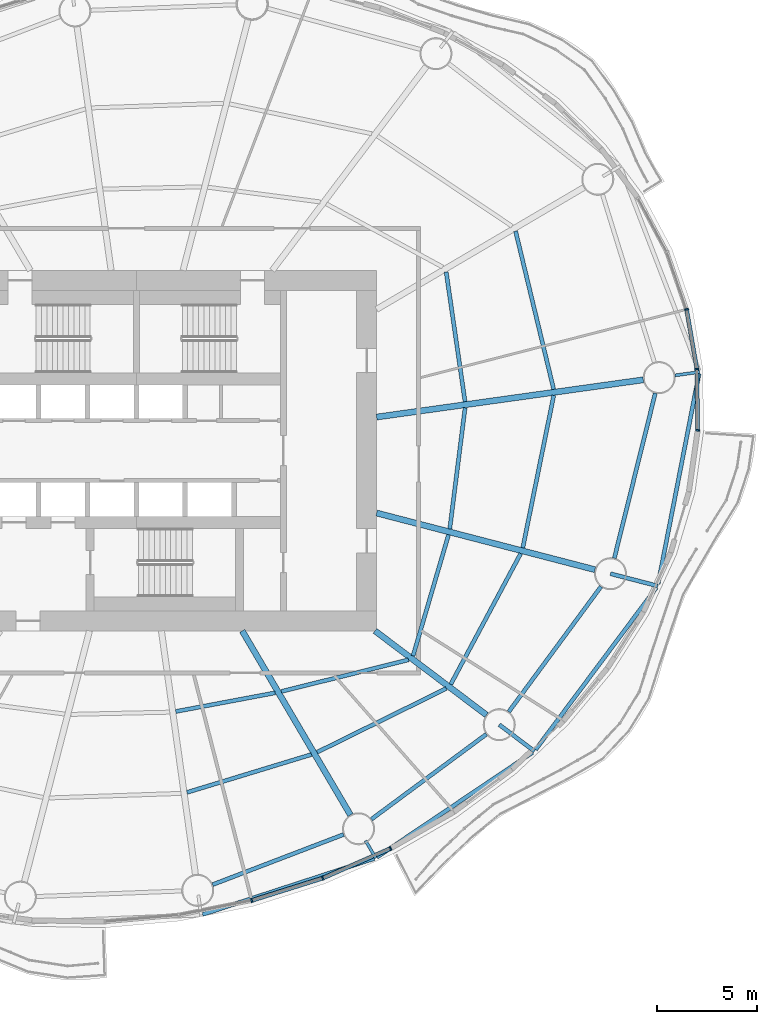
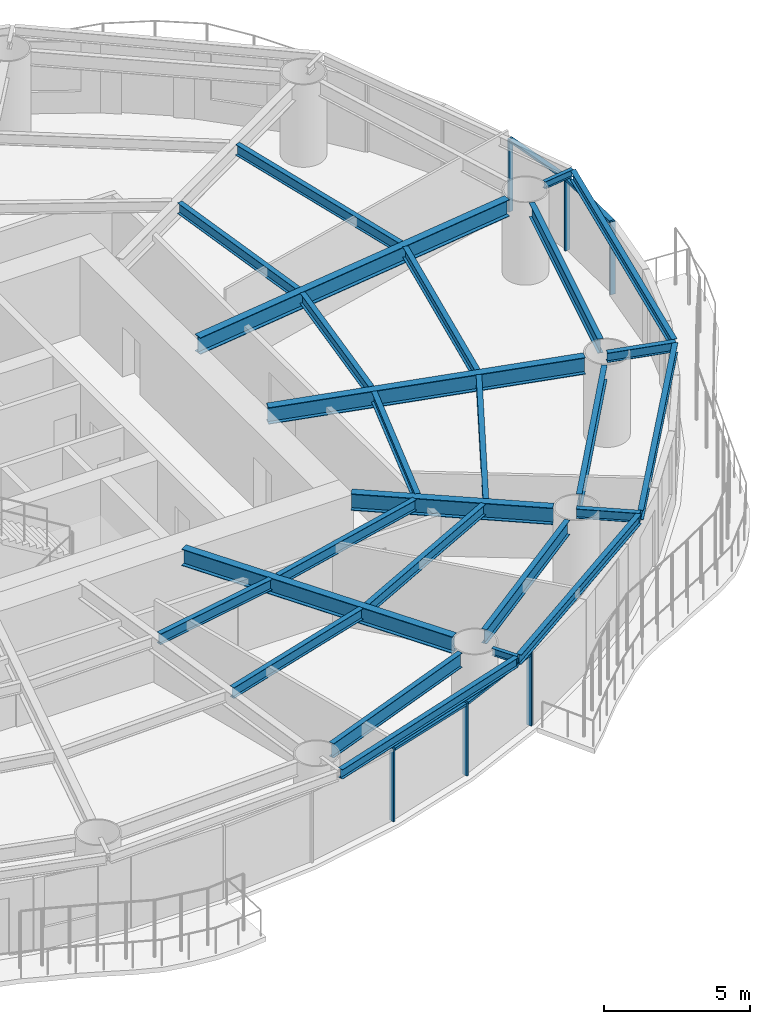
# One storey, part 4 of 17: 26 beams, 10 members, 5 elements without a shape of their own.
"""IFC4 building model written with IfcOpenShell, lengths in metres."""

from ifc_helpers import new_model, si_unit, direction, frame, origin, origin_2d, place, context, subcontext, project, spatial, rectangle, i_section, extrude, material, material_profile, profile_set, type_object, element, aggregate, save


model = new_model("IFC4")

# Units and contexts
model_context = context("Model", 3, precision=1e-05, world=origin(), true_north=direction((0.0, 1.0)))
body_context = subcontext(model_context, "Body", "Model", "MODEL_VIEW")
ifc_project = project(units=[si_unit("LENGTHUNIT", "METRE"), si_unit("AREAUNIT", "SQUARE_METRE"), si_unit("VOLUMEUNIT", "CUBIC_METRE"), si_unit("PLANEANGLEUNIT", "RADIAN"), si_unit("MASSUNIT", "GRAM", prefix="KILO")], contexts=[model_context])

# Site, building, storey
site_placement = place(None, origin())
site = spatial("IfcSite", under=ifc_project, at=site_placement, CompositionType="ELEMENT")
building_placement = place(site_placement, origin())
building = spatial("IfcBuilding", under=site, at=building_placement, Name="Vermilion Reach Broadcast Tower", CompositionType="ELEMENT")
storey_placement = place(building_placement, frame((0.0, 0.0, 92.199951171875)))
storey = spatial("IfcBuildingStorey", under=building, at=storey_placement, Name="L20", CompositionType="ELEMENT", Elevation=92.199951171875)

# Beams
ifc_material_1 = material(Name="Steel S355J2", Category="steel")
ifc_material_profile_1 = material_profile(ifc_material_1, i_section(OverallWidth=0.199951171875, OverallDepth=0.39990234375, WebThickness=0.008056640625, FlangeThickness=0.012939453125, at=origin_2d()), Name="S355J2 HN 400x200x8x13")
ifc_profile_set_1 = profile_set([ifc_material_profile_1], Name="Steel S355J2")
beam_type_1 = type_object("IfcBeamType", Name="EB2 HN 400x200x8x13", PredefinedType="BEAM", material=ifc_profile_set_1)
beam_1_placement = place(storey_placement, frame((-2.68994140625, -23.159912109375, 3.25), z_axis=(0.95075238566, 0.309951449684, 0.0), x_axis=(-0.309951449684, 0.95075238566, 0.0)))
element("IfcBeam", 1, at=beam_1_placement, inside=storey, type_object=beam_type_1, Name="Edge beam EB2-12", PredefinedType="BEAM", context=body_context, shape_type="SweptSolid", body=[
    extrude(i_section(OverallWidth=0.199951171875, OverallDepth=0.39990234375, WebThickness=0.008056640625, FlangeThickness=0.012939453125, at=origin_2d()), origin(), (0.0, 0.0, 1.0), 9.018798828125),
])
beam_2_placement = place(storey_placement, frame((6.02001953125, -20.298828125, 3.25), z_axis=(0.829653429338, 0.558278771929, 0.0), x_axis=(-0.558278771929, 0.829653429338, 0.0)))
element("IfcBeam", 2, at=beam_2_placement, inside=storey, type_object=beam_type_1, Name="Edge beam EB2-13", PredefinedType="BEAM", context=body_context, shape_type="SweptSolid", body=[
    extrude(i_section(OverallWidth=0.199951171875, OverallDepth=0.39990234375, WebThickness=0.008056640625, FlangeThickness=0.012939453125, at=origin_2d()), origin(), (0.0, 0.0, 1.0), 9.369873046875),
])
beam_3_placement = place(storey_placement, frame((13.941162109375, -14.9287109375, 3.25), z_axis=(0.597840489802, 0.801615087654, 0.0), x_axis=(-0.801615087654, 0.597840489802, 0.0)))
element("IfcBeam", 3, at=beam_3_placement, inside=storey, type_object=beam_type_1, Name="Edge beam EB2-14", PredefinedType="BEAM", context=body_context, shape_type="SweptSolid", body=[
    extrude(i_section(OverallWidth=0.199951171875, OverallDepth=0.39990234375, WebThickness=0.008056640625, FlangeThickness=0.012939453125, at=origin_2d()), origin(), (0.0, 0.0, 1.0), 10.08544921875),
])
beam_4_placement = place(storey_placement, frame((20.054443359375, -6.6591796875, 3.25), z_axis=(0.191434813499, 0.981505329675, 0.0), x_axis=(-0.981505329675, 0.191434813499, 0.0)))
element("IfcBeam", 4, at=beam_4_placement, inside=storey, type_object=beam_type_1, Name="Edge beam EB2-15", PredefinedType="BEAM", context=body_context, shape_type="SweptSolid", body=[
    extrude(i_section(OverallWidth=0.199951171875, OverallDepth=0.39990234375, WebThickness=0.008056640625, FlangeThickness=0.012939453125, at=origin_2d()), origin(), (0.0, 0.0, 1.0), 10.706298828125),
])
ifc_material_2 = material(Name="Steel S355J2", Category="steel")
ifc_material_profile_2 = material_profile(ifc_material_2, i_section(OverallWidth=0.300048828125, OverallDepth=0.699951171875, WebThickness=0.012939453125, FlangeThickness=0.02392578125, at=origin_2d()), Name="S355J2 HN 700x300x13x24")
ifc_profile_set_2 = profile_set([ifc_material_profile_2], Name="Steel S355J2")
beam_type_2 = type_object("IfcBeamType", Name="G2 HN 700x300x13x24", PredefinedType="BEAM", material=ifc_profile_set_2)
beam_5_placement = place(storey_placement, frame((-0.709228515625, -9.0, 3.10009765625), z_axis=(0.506783943634, -0.862073102744, 0.0), x_axis=(0.862073102744, 0.506783943634, 0.0)))
element("IfcBeam", 5, at=beam_5_placement, inside=storey, type_object=beam_type_2, Name="Girder G2-13", PredefinedType="BEAM", context=body_context, shape_type="SweptSolid", body=[
    extrude(i_section(OverallWidth=0.300048828125, OverallDepth=0.699951171875, WebThickness=0.012939453125, FlangeThickness=0.02392578125, at=origin_2d()), origin(), (0.0, 0.0, 1.0), 10.661865234375),
])
beam_6_placement = place(storey_placement, frame((5.921630859375, -9.0, 3.10009765625), z_axis=(0.798113534072, -0.602507084382, 0.0), x_axis=(0.602507084382, 0.798113534072, 0.0)))
element("IfcBeam", 6, at=beam_6_placement, inside=storey, type_object=beam_type_2, Name="Girder G2-14", PredefinedType="BEAM", context=body_context, shape_type="SweptSolid", body=[
    extrude(i_section(OverallWidth=0.300048828125, OverallDepth=0.699951171875, WebThickness=0.012939453125, FlangeThickness=0.02392578125, at=origin_2d()), origin(), (0.0, 0.0, 1.0), 6.971923828125),
])
beam_7_placement = place(storey_placement, frame((6.0, -3.114501953125, 3.10009765625), z_axis=(0.967926079816, -0.2512351568, 0.0), x_axis=(0.2512351568, 0.967926079816, 0.0)))
element("IfcBeam", 7, at=beam_7_placement, inside=storey, type_object=beam_type_2, Name="Girder G2-15", PredefinedType="BEAM", context=body_context, shape_type="SweptSolid", body=[
    extrude(i_section(OverallWidth=0.300048828125, OverallDepth=0.699951171875, WebThickness=0.012939453125, FlangeThickness=0.02392578125, at=origin_2d()), origin(), (0.0, 0.0, 1.0), 11.265625),
])
beam_8_placement = place(storey_placement, frame((6.0, 1.67578125, 3.10009765625), z_axis=(0.990389457618, 0.138306623986, 0.0), x_axis=(-0.138306623986, 0.990389457618, 0.0)))
element("IfcBeam", 8, at=beam_8_placement, inside=storey, type_object=beam_type_2, Name="Girder G2-16", PredefinedType="BEAM", context=body_context, shape_type="SweptSolid", body=[
    extrude(i_section(OverallWidth=0.300048828125, OverallDepth=0.699951171875, WebThickness=0.012939453125, FlangeThickness=0.02392578125, at=origin_2d()), origin(), (0.0, 0.0, 1.0), 13.445556640625),
])
ifc_material_3 = material(Name="Steel S355J2", Category="steel")
ifc_material_profile_3 = material_profile(ifc_material_3, i_section(OverallWidth=0.199951171875, OverallDepth=0.39990234375, WebThickness=0.008056640625, FlangeThickness=0.012939453125, at=origin_2d()), Name="S355J2 HN 400x200x8x13")
ifc_profile_set_3 = profile_set([ifc_material_profile_3], Name="Steel S355J2")
beam_type_3 = type_object("IfcBeamType", Name="GC2 HN 400x200x8x13", PredefinedType="BEAM", material=ifc_profile_set_3)
beam_9_placement = place(storey_placement, frame((12.12451171875, -13.6826171875, 3.25), z_axis=(0.798079463689, -0.602552213205, 0.0), x_axis=(0.602552213205, 0.798079463689, 0.0)))
element("IfcBeam", 9, at=beam_9_placement, inside=storey, type_object=beam_type_3, Name="Cantilever girder GC2-14", PredefinedType="BEAM", context=body_context, shape_type="SweptSolid", body=[
    extrude(i_section(OverallWidth=0.199951171875, OverallDepth=0.39990234375, WebThickness=0.008056640625, FlangeThickness=0.012939453125, at=origin_2d()), origin(), (0.0, 0.0, 1.0), 2.201416015625),
])
beam_10_placement = place(storey_placement, frame((17.6787109375, -6.145751953125, 3.25), z_axis=(0.967939131564, -0.251184867354, 0.0), x_axis=(0.251184867354, 0.967939131564, 0.0)))
element("IfcBeam", 10, at=beam_10_placement, inside=storey, type_object=beam_type_3, Name="Cantilever girder GC2-15", PredefinedType="BEAM", context=body_context, shape_type="SweptSolid", body=[
    extrude(i_section(OverallWidth=0.199951171875, OverallDepth=0.39990234375, WebThickness=0.008056640625, FlangeThickness=0.012939453125, at=origin_2d()), origin(), (0.0, 0.0, 1.0), 2.434814453125),
])
ifc_material_4 = material(Name="Steel S355J2", Category="steel")
ifc_material_profile_4 = material_profile(ifc_material_4, i_section(OverallWidth=0.14990234375, OverallDepth=0.300048828125, WebThickness=0.006591796875, FlangeThickness=0.009033203125, at=origin_2d()), Name="S355J2 HN 300x150x6.5x9")
ifc_profile_set_4 = profile_set([ifc_material_profile_4], Name="Steel S355J2")
beam_type_4 = type_object("IfcBeamType", Name="GS2 HN 300x150x6.5x9", PredefinedType="BEAM", material=ifc_profile_set_4)
beam_11_placement = place(storey_placement, frame((5.450927734375, -19.478515625, 3.300048828125), z_axis=(0.506828068037, -0.862047161964, 0.0), x_axis=(0.862047161964, 0.506828068037, 0.0)))
element("IfcBeam", 11, at=beam_11_placement, inside=storey, type_object=beam_type_4, Name="Cantilever stub GS2-13", PredefinedType="BEAM", context=body_context, shape_type="SweptSolid", body=[
    extrude(i_section(OverallWidth=0.14990234375, OverallDepth=0.300048828125, WebThickness=0.006591796875, FlangeThickness=0.009033203125, at=origin_2d()), origin(), (0.0, 0.0, 1.0), 1.0),
])
beam_12_placement = place(storey_placement, frame((20.901123046875, 3.7568359375, 3.300048828125), z_axis=(0.990385301248, 0.138336383761, 0.0), x_axis=(-0.138336383761, 0.990385301248, 0.0)))
element("IfcBeam", 12, at=beam_12_placement, inside=storey, type_object=beam_type_4, Name="Cantilever stub GS2-16", PredefinedType="BEAM", context=body_context, shape_type="SweptSolid", body=[
    extrude(i_section(OverallWidth=0.14990234375, OverallDepth=0.300048828125, WebThickness=0.006591796875, FlangeThickness=0.009033203125, at=origin_2d()), origin(), (0.0, 0.0, 1.0), 1.22998046875),
])
ifc_material_5 = material(Name="Steel S355J2", Category="steel")
ifc_material_profile_5 = material_profile(ifc_material_5, i_section(OverallWidth=0.199951171875, OverallDepth=0.60009765625, WebThickness=0.010986328125, FlangeThickness=0.01708984375, at=origin_2d()), Name="S355J2 HN 600x200x11x17")
ifc_profile_set_5 = profile_set([ifc_material_profile_5], Name="Steel S355J2")
beam_type_5 = type_object("IfcBeamType", Name="RB2 HN 600x200x11x17", PredefinedType="BEAM", material=ifc_profile_set_5)
beam_13_placement = place(storey_placement, frame((-2.186767578125, -21.669677734375, 3.150146484375), z_axis=(0.933939237212, 0.357431813353, 0.0), x_axis=(-0.357431813353, 0.933939237212, 0.0)))
element("IfcBeam", 13, at=beam_13_placement, inside=storey, type_object=beam_type_5, Name="Ring beam RB2-12", PredefinedType="BEAM", context=body_context, shape_type="SweptSolid", body=[
    extrude(i_section(OverallWidth=0.199951171875, OverallDepth=0.60009765625, WebThickness=0.010986328125, FlangeThickness=0.01708984375, at=origin_2d()), origin(), (0.0, 0.0, 1.0), 7.001953125),
])
beam_14_placement = place(storey_placement, frame((5.74267578125, -18.4052734375, 3.150146484375), z_axis=(0.803832742218, 0.594855379515, 0.0), x_axis=(-0.594855379515, 0.803832742218, 0.0)))
element("IfcBeam", 14, at=beam_14_placement, inside=storey, type_object=beam_type_5, Name="Ring beam RB2-13", PredefinedType="BEAM", context=body_context, shape_type="SweptSolid", body=[
    extrude(i_section(OverallWidth=0.199951171875, OverallDepth=0.60009765625, WebThickness=0.010986328125, FlangeThickness=0.01708984375, at=origin_2d()), origin(), (0.0, 0.0, 1.0), 7.13916015625),
])
beam_15_placement = place(storey_placement, frame((12.59912109375, -13.03857421875, 3.150146484375), z_axis=(0.593250534798, 0.80501788984, 0.0), x_axis=(-0.80501788984, 0.593250534798, 0.0)))
element("IfcBeam", 15, at=beam_15_placement, inside=storey, type_object=beam_type_5, Name="Ring beam RB2-14", PredefinedType="BEAM", context=body_context, shape_type="SweptSolid", body=[
    extrude(i_section(OverallWidth=0.199951171875, OverallDepth=0.60009765625, WebThickness=0.010986328125, FlangeThickness=0.01708984375, at=origin_2d()), origin(), (0.0, 0.0, 1.0), 7.76220703125),
])
beam_16_placement = place(storey_placement, frame((17.871337890625, -5.369384765625, 3.150146484375), z_axis=(0.240863809798, 0.970558924089, 0.0), x_axis=(-0.970558924089, 0.240863809798, 0.0)))
element("IfcBeam", 16, at=beam_16_placement, inside=storey, type_object=beam_type_5, Name="Ring beam RB2-15", PredefinedType="BEAM", context=body_context, shape_type="SweptSolid", body=[
    extrude(i_section(OverallWidth=0.199951171875, OverallDepth=0.60009765625, WebThickness=0.010986328125, FlangeThickness=0.01708984375, at=origin_2d()), origin(), (0.0, 0.0, 1.0), 8.489013671875),
])
ifc_material_6 = material(Name="Steel S355J2", Category="steel")
ifc_material_profile_6 = material_profile(ifc_material_6, i_section(OverallWidth=0.199951171875, OverallDepth=0.449951171875, WebThickness=0.009033203125, FlangeThickness=0.013916015625, at=origin_2d()), Name="S355J2 HN 450x200x9x14")
ifc_profile_set_6 = profile_set([ifc_material_profile_6], Name="Steel S355J2")
beam_type_6 = type_object("IfcBeamType", Name="SB2 HN 450x200x9x14", PredefinedType="BEAM", material=ifc_profile_set_6)
beam_17_placement = place(storey_placement, frame((-4.029296875, -13.026611328125, 3.22509765625), z_axis=(0.982782890015, 0.184764149915, 0.0), x_axis=(-0.184764149915, 0.982782890015, 0.0)))
element("IfcBeam", 17, at=beam_17_placement, inside=storey, type_object=beam_type_6, Name="Secondary beam SB2-12-1", PredefinedType="BEAM", context=body_context, shape_type="SweptSolid", body=[
    extrude(i_section(OverallWidth=0.199951171875, OverallDepth=0.449951171875, WebThickness=0.009033203125, FlangeThickness=0.013916015625, at=origin_2d()), origin(), (0.0, 0.0, 1.0), 5.051513671875),
])
beam_18_placement = place(storey_placement, frame((-3.46533203125, -17.064697265625, 3.22509765625), z_axis=(0.956596430605, 0.291415972374, 0.0), x_axis=(-0.291415972374, 0.956596430605, 0.0)))
element("IfcBeam", 18, at=beam_18_placement, inside=storey, type_object=beam_type_6, Name="Secondary beam SB2-12-2", PredefinedType="BEAM", context=body_context, shape_type="SweptSolid", body=[
    extrude(i_section(OverallWidth=0.199951171875, OverallDepth=0.449951171875, WebThickness=0.009033203125, FlangeThickness=0.013916015625, at=origin_2d()), origin(), (0.0, 0.0, 1.0), 6.49267578125),
])
beam_19_placement = place(storey_placement, frame((1.24365234375, -12.026123046875, 3.22509765625), z_axis=(0.970396717612, 0.241516480695, 0.0), x_axis=(-0.241516480695, 0.970396717612, 0.0)))
element("IfcBeam", 19, at=beam_19_placement, inside=storey, type_object=beam_type_6, Name="Secondary beam SB2-13-1", PredefinedType="BEAM", context=body_context, shape_type="SweptSolid", body=[
    extrude(i_section(OverallWidth=0.199951171875, OverallDepth=0.449951171875, WebThickness=0.009033203125, FlangeThickness=0.013916015625, at=origin_2d()), origin(), (0.0, 0.0, 1.0), 6.539306640625),
])
beam_20_placement = place(storey_placement, frame((3.02783203125, -15.06103515625, 3.22509765625), z_axis=(0.896648255868, 0.442743611189, 0.0), x_axis=(-0.442743611189, 0.896648255868, 0.0)))
element("IfcBeam", 20, at=beam_20_placement, inside=storey, type_object=beam_type_6, Name="Secondary beam SB2-13-2", PredefinedType="BEAM", context=body_context, shape_type="SweptSolid", body=[
    extrude(i_section(OverallWidth=0.199951171875, OverallDepth=0.449951171875, WebThickness=0.009033203125, FlangeThickness=0.013916015625, at=origin_2d()), origin(), (0.0, 0.0, 1.0), 7.19677734375),
])
beam_21_placement = place(storey_placement, frame((7.821533203125, -10.246337890625, 3.22509765625), z_axis=(0.281175657723, 0.959656318431, 0.0), x_axis=(-0.959656318431, 0.281175657723, 0.0)))
element("IfcBeam", 21, at=beam_21_placement, inside=storey, type_object=beam_type_6, Name="Secondary beam SB2-14-1", PredefinedType="BEAM", context=body_context, shape_type="SweptSolid", body=[
    extrude(i_section(OverallWidth=0.199951171875, OverallDepth=0.449951171875, WebThickness=0.009033203125, FlangeThickness=0.013916015625, at=origin_2d()), origin(), (0.0, 0.0, 1.0), 6.298583984375),
])
beam_22_placement = place(storey_placement, frame((9.702880859375, -11.66650390625, 3.22509765625), z_axis=(0.471821551693, 0.881694064491, 0.0), x_axis=(-0.881694064491, 0.471821551693, 0.0)))
element("IfcBeam", 22, at=beam_22_placement, inside=storey, type_object=beam_type_6, Name="Secondary beam SB2-14-2", PredefinedType="BEAM", context=body_context, shape_type="SweptSolid", body=[
    extrude(i_section(OverallWidth=0.199951171875, OverallDepth=0.449951171875, WebThickness=0.009033203125, FlangeThickness=0.013916015625, at=origin_2d()), origin(), (0.0, 0.0, 1.0), 7.405029296875),
])
beam_23_placement = place(storey_placement, frame((9.65380859375, -3.907958984375, 3.22509765625), z_axis=(0.125557241128, 0.992086376885, 0.0), x_axis=(-0.992086376885, 0.125557241128, 0.0)))
element("IfcBeam", 23, at=beam_23_placement, inside=storey, type_object=beam_type_6, Name="Secondary beam SB2-15-1", PredefinedType="BEAM", context=body_context, shape_type="SweptSolid", body=[
    extrude(i_section(OverallWidth=0.199951171875, OverallDepth=0.449951171875, WebThickness=0.009033203125, FlangeThickness=0.013916015625, at=origin_2d()), origin(), (0.0, 0.0, 1.0), 6.097900390625),
])
beam_24_placement = place(storey_placement, frame((13.29931640625, -4.854248046875, 3.22509765625), z_axis=(0.19906416804, 0.979986457561, 0.0), x_axis=(-0.979986457561, 0.19906416804, 0.0)))
element("IfcBeam", 24, at=beam_24_placement, inside=storey, type_object=beam_type_6, Name="Secondary beam SB2-15-2", PredefinedType="BEAM", context=body_context, shape_type="SweptSolid", body=[
    extrude(i_section(OverallWidth=0.199951171875, OverallDepth=0.449951171875, WebThickness=0.009033203125, FlangeThickness=0.013916015625, at=origin_2d()), origin(), (0.0, 0.0, 1.0), 7.76953125),
])
beam_25_placement = place(storey_placement, frame((10.417236328125, 2.444091796875, 3.22509765625), z_axis=(-0.143973706518, 0.989581513485, 0.0), x_axis=(-0.989581513485, -0.143973706518, 0.0)))
element("IfcBeam", 25, at=beam_25_placement, inside=storey, type_object=beam_type_6, Name="Secondary beam SB2-16-1", PredefinedType="BEAM", context=body_context, shape_type="SweptSolid", body=[
    extrude(i_section(OverallWidth=0.199951171875, OverallDepth=0.449951171875, WebThickness=0.009033203125, FlangeThickness=0.013916015625, at=origin_2d()), origin(), (0.0, 0.0, 1.0), 6.547119140625),
])
beam_26_placement = place(storey_placement, frame((14.84228515625, 3.06201171875, 3.22509765625), z_axis=(-0.234260568382, 0.972173845617, 0.0), x_axis=(-0.972173845617, -0.234260568382, 0.0)))
element("IfcBeam", 26, at=beam_26_placement, inside=storey, type_object=beam_type_6, Name="Secondary beam SB2-16-2", PredefinedType="BEAM", context=body_context, shape_type="SweptSolid", body=[
    extrude(i_section(OverallWidth=0.199951171875, OverallDepth=0.449951171875, WebThickness=0.009033203125, FlangeThickness=0.013916015625, at=origin_2d()), origin(), (0.0, 0.0, 1.0), 8.123779296875),
])

# Curtain wall, member
ifc_material_7 = material(Name="Low-e laminated clear glass in aluminium frame", Category="aluminium")
curtain_wall_type = type_object("IfcCurtainWallType", Name="Slot curtain wall", PredefinedType="NOTDEFINED", material=ifc_material_7)
placement = place(storey_placement, origin())
curtain_wall_1 = element("IfcCurtainWall", 27, at=placement, inside=storey, type_object=curtain_wall_type, Name="Slot curtain wall L20 46", PredefinedType="NOTDEFINED")
ifc_material_8 = material(Name="Anodised aluminium", Category="aluminium")
ifc_material_profile_7 = material_profile(ifc_material_8, rectangle(XDim=0.199951171875, YDim=0.080078125, at=origin_2d()), Name="Slot mullion 80 x 200")
ifc_profile_set_7 = profile_set([ifc_material_profile_7], Name="Anodised aluminium")
member_type_1 = type_object("IfcMemberType", Name="Slot mullion 80 x 200", PredefinedType="MULLION", material=ifc_profile_set_7)
member_1_placement = place(storey_placement, frame((22.03173828125, 1.0166015625, 0.0), z_axis=(0.0, 0.0, 1.0), x_axis=(-0.997945433899, 0.064069579058, 0.0)))
member_1 = element("IfcMember", 28, at=member_1_placement, type_object=member_type_1, Name="Slot mullion L20 46", PredefinedType="MULLION", context=body_context, shape_type="SweptSolid", body=[
    extrude(rectangle(XDim=0.199951171875, YDim=0.080078125, at=origin_2d()), origin(), (0.0, 0.0, 1.0), 3.050048828125),
])

curtain_wall_2 = element("IfcCurtainWall", 29, at=placement, inside=storey, type_object=curtain_wall_type, Name="Slot curtain wall L20 47", PredefinedType="NOTDEFINED")
member_2_placement = place(storey_placement, frame((21.991455078125, 4.070556640625, 0.0), z_axis=(0.0, 0.0, 1.0), x_axis=(-0.995739003872, -0.092216246764, 0.0)))
member_2 = element("IfcMember", 30, at=member_2_placement, type_object=member_type_1, Name="Slot mullion L20 47", PredefinedType="MULLION", context=body_context, shape_type="SweptSolid", body=[
    extrude(rectangle(XDim=0.199951171875, YDim=0.080078125, at=origin_2d()), origin(), (0.0, 0.0, 1.0), 3.050048828125),
])

curtain_wall_3 = element("IfcCurtainWall", 31, at=placement, inside=storey, type_object=curtain_wall_type, Name="Slot curtain wall L20 00", PredefinedType="NOTDEFINED")
member_3_placement = place(storey_placement, frame((21.474609375, 7.05419921875, 0.0), z_axis=(0.0, 0.0, 1.0), x_axis=(-0.968583159106, -0.248689895043, 0.0)))
member_3 = element("IfcMember", 32, at=member_3_placement, type_object=member_type_1, Name="Slot mullion L20 00", PredefinedType="MULLION", context=body_context, shape_type="SweptSolid", body=[
    extrude(rectangle(XDim=0.199951171875, YDim=0.080078125, at=origin_2d()), origin(), (0.0, 0.0, 1.0), 3.050048828125),
])
aggregate(curtain_wall_3, [member_3])

curtain_wall_4 = element("IfcCurtainWall", 33, at=placement, inside=storey, type_object=curtain_wall_type, Name="Slot curtain wall L20 36", PredefinedType="NOTDEFINED")
member_4_placement = place(storey_placement, frame((-0.23291015625, -22.46142578125, 0.0), z_axis=(0.0, 0.0, 1.0), x_axis=(-0.248689857429, 0.968583168763, 0.0)))
member_4 = element("IfcMember", 34, at=member_4_placement, type_object=member_type_1, Name="Slot mullion L20 36", PredefinedType="MULLION", context=body_context, shape_type="SweptSolid", body=[
    extrude(rectangle(XDim=0.199951171875, YDim=0.080078125, at=origin_2d()), origin(), (0.0, 0.0, 1.0), 3.050048828125),
])

# Curtain wall, members
curtain_wall_5 = element("IfcCurtainWall", 35, at=placement, inside=storey, type_object=curtain_wall_type, Name="Slot curtain wall L20 37", PredefinedType="NOTDEFINED")
member_5_placement = place(storey_placement, frame((3.310546875, -21.345947265625, 0.0), z_axis=(0.0, 0.0, 1.0), x_axis=(-0.351285102118, 0.936268538951, 0.0)))
member_5 = element("IfcMember", 36, at=member_5_placement, type_object=member_type_1, Name="Slot mullion L20 37", PredefinedType="MULLION", context=body_context, shape_type="SweptSolid", body=[
    extrude(rectangle(XDim=0.199951171875, YDim=0.080078125, at=origin_2d()), origin(), (0.0, 0.0, 1.0), 3.050048828125),
])
member_6_placement = place(storey_placement, frame((6.693603515625, -19.86376953125, 0.0), z_axis=(0.0, 0.0, 1.0), x_axis=(-0.450893157147, 0.89257792984, 0.0)))
member_6 = element("IfcMember", 37, at=member_6_placement, type_object=member_type_1, Name="Slot mullion L20 38", PredefinedType="MULLION", context=body_context, shape_type="SweptSolid", body=[
    extrude(rectangle(XDim=0.199951171875, YDim=0.080078125, at=origin_2d()), origin(), (0.0, 0.0, 1.0), 3.050048828125),
])

# Member
ifc_material_9 = material(Name="Anodised aluminium", Category="aluminium")
ifc_material_profile_8 = material_profile(ifc_material_9, rectangle(XDim=0.199951171875, YDim=0.10009765625, at=origin_2d()), Name="Slot transom 200 x 100")
ifc_profile_set_8 = profile_set([ifc_material_profile_8], Name="Anodised aluminium")
member_type_2 = type_object("IfcMemberType", Name="Slot transom 200 x 100", PredefinedType="USERDEFINED", material=ifc_profile_set_8)
member_7_placement = place(storey_placement, frame((22.031005859375, 1.056640625, 3.0), z_axis=(-0.013134077587, 0.999913744283, 0.0), x_axis=(-0.999913744283, -0.013134077587, 0.0)))
member_7 = element("IfcMember", 38, at=member_7_placement, type_object=member_type_2, Name="Slot transom L20 46.1", ObjectType="TRANSOM", PredefinedType="USERDEFINED", context=body_context, shape_type="SweptSolid", body=[
    extrude(rectangle(XDim=0.199951171875, YDim=0.10009765625, at=origin_2d()), origin(), (0.0, 0.0, 1.0), 2.97412109375),
])

aggregate(curtain_wall_1, [member_1, member_7])

member_8_placement = place(storey_placement, frame((21.984619140625, 4.110107421875, 3.0), z_axis=(-0.170680595976, 0.985326409956, 0.0), x_axis=(-0.985326409956, -0.170680595976, 0.0)))
member_8 = element("IfcMember", 39, at=member_8_placement, type_object=member_type_2, Name="Slot transom L20 47.1", ObjectType="TRANSOM", PredefinedType="USERDEFINED", context=body_context, shape_type="SweptSolid", body=[
    extrude(rectangle(XDim=0.199951171875, YDim=0.10009765625, at=origin_2d()), origin(), (0.0, 0.0, 1.0), 2.947998046875),
])

aggregate(curtain_wall_2, [member_2, member_8])

member_9_placement = place(storey_placement, frame((-0.19482421875, -22.449462890625, 3.0), z_axis=(0.953843193959, 0.300305113738, 0.0), x_axis=(-0.300305113738, 0.953843193959, 0.0)))
member_9 = element("IfcMember", 40, at=member_9_placement, type_object=member_type_2, Name="Slot transom L20 36.1", ObjectType="TRANSOM", PredefinedType="USERDEFINED", context=body_context, shape_type="SweptSolid", body=[
    extrude(rectangle(XDim=0.199951171875, YDim=0.10009765625, at=origin_2d()), origin(), (0.0, 0.0, 1.0), 3.634765625),
])

aggregate(curtain_wall_4, [member_4, member_9])

member_10_placement = place(storey_placement, frame((3.34716796875, -21.329833984375, 3.0), z_axis=(0.915963397001, 0.401261828929, 0.0), x_axis=(-0.401261828929, 0.915963397001, 0.0)))
member_10 = element("IfcMember", 41, at=member_10_placement, type_object=member_type_2, Name="Slot transom L20 37.1", ObjectType="TRANSOM", PredefinedType="USERDEFINED", context=body_context, shape_type="SweptSolid", body=[
    extrude(rectangle(XDim=0.199951171875, YDim=0.10009765625, at=origin_2d()), origin(), (0.0, 0.0, 1.0), 3.613525390625),
])

aggregate(curtain_wall_5, [member_5, member_6, member_10])

save(model, "model.ifc")
